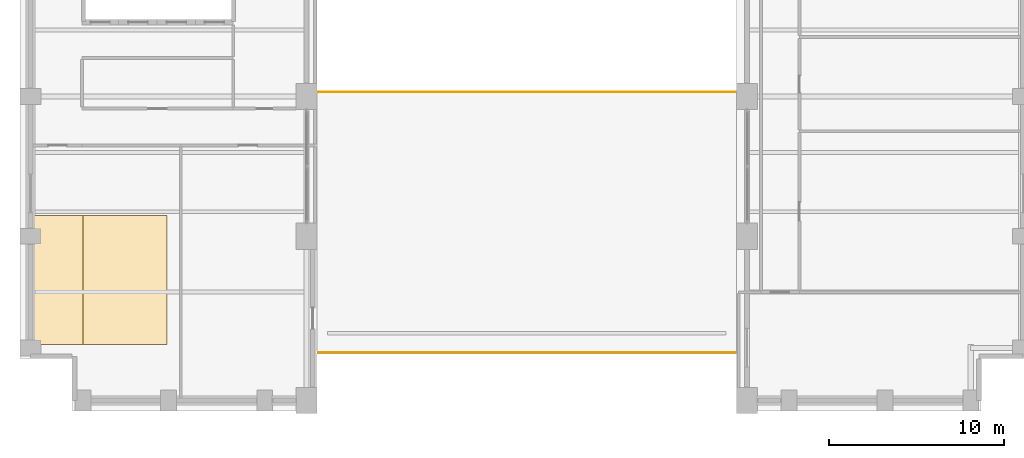
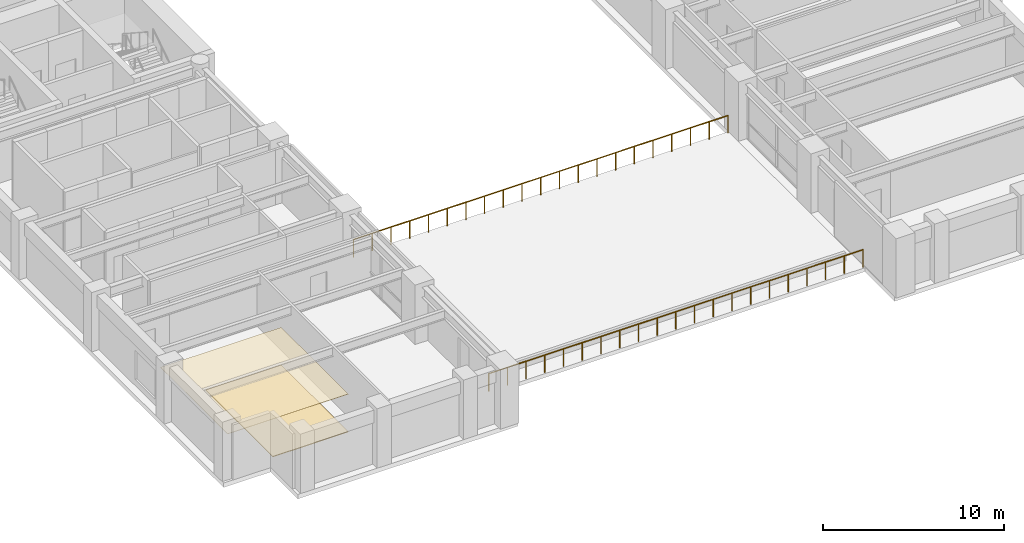
# One storey, part 8 of 10: 2 coverings, 2 railings.
"""IFC4 building model written with IfcOpenShell, lengths in metres."""

import ifcopenshell
import ifcopenshell.guid

model = None  # the IFC model being written
_history = None  # IfcOwnerHistory: only IFC2X3 demands one
_inside = {}  # id of a spatial element -> (the spatial element, [elements in it])
_under = {}  # id of a project, library or spatial element -> (it, [spatial elements below it])
_declared = {}  # id of a project -> (the project, [libraries it declares])
_typed = {}  # id of a type object -> (the type object, [elements of that type])
_made_of = {}  # id of a material, layer set ... -> (it, [elements and type objects made of it])


def new_model(schema):
    """Start an empty IFC model of exactly this schema.

    Asked for "IFC4X3", IfcOpenShell would pick the latest addendum, in which some entities
    have other attributes; the version numbers below select the first issue.
    IFC2X3 requires an IfcOwnerHistory on every rooted entity: one is made here for all.
    """
    global model, _history
    if schema == "IFC4X3":
        model = ifcopenshell.file(schema_version=(4, 3, 0, 0))
    else:
        model = ifcopenshell.file(schema=schema)
    _inside.clear()
    _under.clear()
    _declared.clear()
    _typed.clear()
    _made_of.clear()
    _history = None
    if model.schema == "IFC2X3":
        org = make("IfcOrganization", Name="unknown")
        user = make(
            "IfcPersonAndOrganization",
            ThePerson=make("IfcPerson", FamilyName="unknown"),
            TheOrganization=org,
        )
        app = make(
            "IfcApplication",
            ApplicationDeveloper=org,
            Version="unknown",
            ApplicationFullName="unknown",
            ApplicationIdentifier="unknown",
        )
        _history = make(
            "IfcOwnerHistory",
            OwningUser=user,
            OwningApplication=app,
            ChangeAction="ADDED",
            CreationDate=0,
        )
    return model


def make(cls, **values):
    """One entity of the class cls with the attributes given. An attribute that is None is left unset."""
    return model.create_entity(
        cls, **{name: value for name, value in values.items() if value is not None}
    )


def rooted(cls, **values):
    """An entity with a GlobalId (a new one), such as an element, a storey or a relation."""
    return make(cls, GlobalId=ifcopenshell.guid.new(), OwnerHistory=_history, **values)


def si_unit(unit_type, name, prefix=None):
    """IfcSIUnit, for example si_unit("LENGTHUNIT", "METRE", prefix="MILLI")."""
    return make("IfcSIUnit", UnitType=unit_type, Prefix=prefix, Name=name)


def assignment(units):
    """IfcUnitAssignment: the units of a project."""
    return None if units is None else make("IfcUnitAssignment", Units=units)


def point(xyz):
    """IfcCartesianPoint."""
    return None if xyz is None else make("IfcCartesianPoint", Coordinates=xyz)


def direction(xyz):
    """IfcDirection."""
    return None if xyz is None else make("IfcDirection", DirectionRatios=xyz)


def frame(location, z_axis=None, x_axis=None):
    """IfcAxis2Placement3D, a coordinate frame: its origin and axes. An axis left out is left unset."""
    return make(
        "IfcAxis2Placement3D",
        Location=point(location),
        Axis=direction(z_axis),
        RefDirection=direction(x_axis),
    )


def frame_2d(location, x_axis=None):
    """IfcAxis2Placement2D, a coordinate frame in the plane: its origin and x axis."""
    return make(
        "IfcAxis2Placement2D", Location=point(location), RefDirection=direction(x_axis)
    )


def origin():
    """The frame at (0, 0, 0) with its axes left unset."""
    return frame((0.0, 0.0, 0.0))


def origin_2d():
    """The frame at (0, 0) in the plane with its x axis left unset."""
    return frame_2d((0.0, 0.0))


def place(relative_to, where):
    """IfcLocalPlacement: puts the frame where relative to a parent placement (None: the world)."""
    return make(
        "IfcLocalPlacement", PlacementRelTo=relative_to, RelativePlacement=where
    )


def context(
    kind, dimensions, precision=None, world=None, true_north=None, identifier=None
):
    """IfcGeometricRepresentationContext, for example the 3D "Model" context."""
    return make(
        "IfcGeometricRepresentationContext",
        ContextIdentifier=identifier,
        ContextType=kind,
        CoordinateSpaceDimension=dimensions,
        Precision=precision,
        WorldCoordinateSystem=world,
        TrueNorth=true_north,
    )


def subcontext(parent, identifier, kind, view, scale=None):
    """IfcGeometricRepresentationSubContext, for example "Body" below "Model"."""
    return make(
        "IfcGeometricRepresentationSubContext",
        ContextIdentifier=identifier,
        ContextType=kind,
        ParentContext=parent,
        TargetScale=scale,
        TargetView=view,
    )


def project(units=None, contexts=None):
    """IfcProject with its units and contexts."""
    return rooted(
        "IfcProject",
        Name="project",
        RepresentationContexts=contexts,
        UnitsInContext=assignment(units),
    )


def spatial(cls, under=None, at=None, **own):
    """A site, building, storey or space (cls), placed at a placement, below another one or the project."""
    s = rooted(cls, ObjectPlacement=at, **own)
    if under is not None:
        _under.setdefault(under.id(), (under, []))[1].append(s)
    return s


def polyline(points):
    """IfcPolyline through the points."""
    return make("IfcPolyline", Points=[point(p) for p in points])


def profile(cls, at=None, kind="AREA", **sizes):
    """A parametric profile (cls). Its sizes go by their IFC names, for example OverallWidth=200.0."""
    return make(cls, ProfileType=kind, Position=at, **sizes)


def circle(**sizes):
    """IfcCircleProfileDef."""
    return profile("IfcCircleProfileDef", **sizes)


def outline(outer, holes=None, kind="AREA"):
    """IfcArbitraryClosedProfileDef: a profile drawn as a closed curve; with holes, ...WithVoids."""
    if holes is None:
        return make("IfcArbitraryClosedProfileDef", ProfileType=kind, OuterCurve=outer)
    return make(
        "IfcArbitraryProfileDefWithVoids",
        ProfileType=kind,
        OuterCurve=outer,
        InnerCurves=holes,
    )


def extrude(swept, where, along, depth):
    """IfcExtrudedAreaSolid: the profile swept, set in the frame where, extruded along a direction by depth."""
    return make(
        "IfcExtrudedAreaSolid",
        SweptArea=swept,
        Position=where,
        ExtrudedDirection=direction(along),
        Depth=depth,
    )


def shape(context_of_items, identifier, shape_type, items):
    """IfcShapeRepresentation: the items that make up one representation, for example the "Body"."""
    return make(
        "IfcShapeRepresentation",
        ContextOfItems=context_of_items,
        RepresentationIdentifier=identifier,
        RepresentationType=shape_type,
        Items=items,
    )


def material(Name=None, Category=None):
    """IfcMaterial."""
    return make("IfcMaterial", Name=Name, Category=Category)


def layer(
    of_material, thickness, ventilated=None, Name=None, Category=None, Priority=None
):
    """IfcMaterialLayer: one layer of a wall or slab, of a material (None: an air gap)."""
    return make(
        "IfcMaterialLayer",
        Material=of_material,
        LayerThickness=thickness,
        IsVentilated=ventilated,
        Name=Name,
        Category=Category,
        Priority=Priority,
    )


def layer_set(layers, Name=None):
    """IfcMaterialLayerSet."""
    return make("IfcMaterialLayerSet", MaterialLayers=layers, LayerSetName=Name)


def made_of(thing, what):
    """Note that an element or type object is made of a material, layer set ...; save() writes the relation."""
    if what is not None:
        _made_of.setdefault(what.id(), (what, []))[1].append(thing)
    return thing


def type_object(cls, material=None, **own):
    """A type object (cls), such as IfcWallType, which elements share."""
    return made_of(rooted(cls, **own), material)


def element(
    cls,
    number,
    at=None,
    inside=None,
    cuts=None,
    type_object=None,
    material=None,
    context=None,
    identifier="Body",
    shape_type=None,
    held_by="IfcProductDefinitionShape",
    body=None,
    shapes=None,
    **own,
):
    """One element of the class cls, such as IfcWall. Its Tag is "e" and its number.

    at: its placement. inside: the storey or other place that contains it. cuts: it is an
    opening in that element (IfcRelVoidsElement). A single representation is given by context,
    identifier, shape_type and body (its items); several are given by shapes. held_by: the class
    of the entity that holds the representations. save() writes the other relations.
    """
    e = rooted(cls, Tag="e%d" % number, ObjectPlacement=at, **own)
    if body is not None:
        shapes = [shape(context, identifier, shape_type, body)]
    if shapes is not None:
        e.Representation = make(held_by, Representations=shapes)
    if inside is not None:
        _inside.setdefault(inside.id(), (inside, []))[1].append(e)
    if cuts is not None:
        rooted(
            "IfcRelVoidsElement", RelatingBuildingElement=cuts, RelatedOpeningElement=e
        )
    if type_object is not None:
        _typed.setdefault(type_object.id(), (type_object, []))[1].append(e)
    return made_of(e, material)


def aggregate(whole, parts):
    """IfcRelAggregates: a whole, such as a stair, and the parts it consists of."""
    return rooted("IfcRelAggregates", RelatingObject=whole, RelatedObjects=parts)


def save(model, path):
    """Write the relations noted so far, then the file.

    IfcRelAggregates (storeys below a building ...), IfcRelContainedInSpatialStructure (elements
    in a storey), IfcRelDefinesByType, IfcRelAssociatesMaterial and IfcRelDeclares: one each for
    every whole, place, type object, material and project.
    """
    for whole, parts in _under.values():
        aggregate(whole, parts)
    for where, things in _inside.values():
        rooted(
            "IfcRelContainedInSpatialStructure",
            RelatedElements=things,
            RelatingStructure=where,
        )
    for kind, things in _typed.values():
        rooted("IfcRelDefinesByType", RelatedObjects=things, RelatingType=kind)
    for what, things in _made_of.values():
        rooted("IfcRelAssociatesMaterial", RelatedObjects=things, RelatingMaterial=what)
    for by, libraries in _declared.values():
        rooted("IfcRelDeclares", RelatingContext=by, RelatedDefinitions=libraries)
    model.write(path)


model = new_model("IFC4")

# Units and contexts
model_context = context("Model", 3, precision=1e-05, world=origin(), true_north=direction((0.0, 1.0)))
body_context = subcontext(model_context, "Body", "Model", "MODEL_VIEW")
ifc_project = project(units=[si_unit("LENGTHUNIT", "METRE"), si_unit("AREAUNIT", "SQUARE_METRE"), si_unit("VOLUMEUNIT", "CUBIC_METRE"), si_unit("PLANEANGLEUNIT", "RADIAN"), si_unit("MASSUNIT", "GRAM", prefix="KILO")], contexts=[model_context])

# Site, building, storey
site_placement = place(None, origin())
site = spatial("IfcSite", under=ifc_project, at=site_placement, CompositionType="ELEMENT")
building_placement = place(site_placement, origin())
building = spatial("IfcBuilding", under=site, at=building_placement, Name="Sulina Concourse Tower", CompositionType="ELEMENT")
storey_placement = place(building_placement, frame((0.0, 0.0, 22.60009765625)))
storey = spatial("IfcBuildingStorey", under=building, at=storey_placement, Name="L05", CompositionType="ELEMENT", Elevation=22.60009765625)

# Coverings
ifc_material_1 = material(Name="Polished granite flooring", Category="masonry")
ifc_layer_1 = layer(ifc_material_1, 0.044921875)
ifc_layer_set_1 = layer_set([ifc_layer_1], Name="Polished granite flooring")
covering_type_1 = type_object("IfcCoveringType", Name="Polished Granite & Raised Access Flooring 45mm", PredefinedType="FLOORING", material=ifc_layer_set_1)
covering_1_placement = place(storey_placement, origin())
element("IfcCovering", 1, at=covering_1_placement, inside=storey, type_object=covering_type_1, Name="L05 raised access floor finish", PredefinedType="FLOORING", context=body_context, shape_type="SweptSolid", body=[
    extrude(outline(polyline([(3.60009765625, 3.800048828125), (8.39990234375, 3.800048828125), (8.39990234375, 11.199951171875), (3.60009765625, 11.199951171875), (3.60009765625, 3.800048828125)])), origin(), (0.0, 0.0, 1.0), 0.044921875),
])
ifc_material_2 = material(Name="Acoustic mineral ceiling board")
ifc_layer_2 = layer(ifc_material_2, 0.02490234375)
ifc_layer_set_2 = layer_set([ifc_layer_2], Name="Acoustic mineral ceiling board")
covering_type_2 = type_object("IfcCoveringType", Name="Suspended Acoustic Mineral Ceiling 25mm", PredefinedType="CEILING", material=ifc_layer_set_2)
covering_2_placement = place(storey_placement, frame((0.0, 0.0, 2.5498046875)))
element("IfcCovering", 2, at=covering_2_placement, inside=storey, type_object=covering_type_2, Name="L05 suspended acoustic tile ceiling", PredefinedType="CEILING", context=body_context, shape_type="SweptSolid", body=[
    extrude(outline(polyline([(0.719970703125, 3.800048828125), (8.39990234375, 3.800048828125), (8.39990234375, 11.199951171875), (0.719970703125, 11.199951171875), (0.719970703125, 3.800048828125)])), origin(), (0.0, 0.0, 1.0), 0.025146484375),
])

# Railings
ifc_material_3 = material(Name="Laminated glass balustrade and steel post", Category="steel")
railing_type = type_object("IfcRailingType", Name="Terrace & Sky-Pool Laminated Guardrail 1200mm", PredefinedType="GUARDRAIL", material=ifc_material_3)
railing_1_placement = place(storey_placement, frame((17.080078125, 3.35009765625, 0.0)))
element("IfcRailing", 3, at=railing_1_placement, inside=storey, type_object=railing_type, Name="L05 terrace guardrail TER-LP1-1", PredefinedType="GUARDRAIL", context=body_context, shape_type="SweptSolid", body=[
    extrude(circle(Radius=0.02490234375, at=origin_2d()), frame((0.0, 0.0, 1.1748046875), z_axis=(1.0, 0.0, 0.0), x_axis=(0.0, 1.0, 0.0)), (0.0, 0.0, 1.0), 23.83984375),
    extrude(circle(Radius=0.02099609375, at=origin_2d()), origin(), (0.0, 0.0, 1.0), 1.14990234375),
    extrude(circle(Radius=0.02099609375, at=origin_2d()), frame((1.19189453125, 0.0, 0.0)), (0.0, 0.0, 1.0), 1.14990234375),
    extrude(circle(Radius=0.02099609375, at=origin_2d()), frame((2.384033203125, 0.0, 0.0)), (0.0, 0.0, 1.0), 1.14990234375),
    extrude(circle(Radius=0.02099609375, at=origin_2d()), frame((3.575927734375, 0.0, 0.0)), (0.0, 0.0, 1.0), 1.14990234375),
    extrude(circle(Radius=0.02099609375, at=origin_2d()), frame((4.76806640625, 0.0, 0.0)), (0.0, 0.0, 1.0), 1.14990234375),
    extrude(circle(Radius=0.02099609375, at=origin_2d()), frame((5.9599609375, 0.0, 0.0)), (0.0, 0.0, 1.0), 1.14990234375),
    extrude(circle(Radius=0.02099609375, at=origin_2d()), frame((7.15185546875, 0.0, 0.0)), (0.0, 0.0, 1.0), 1.14990234375),
    extrude(circle(Radius=0.02099609375, at=origin_2d()), frame((8.343994140625, 0.0, 0.0)), (0.0, 0.0, 1.0), 1.14990234375),
    extrude(circle(Radius=0.02099609375, at=origin_2d()), frame((9.535888671875, 0.0, 0.0)), (0.0, 0.0, 1.0), 1.14990234375),
    extrude(circle(Radius=0.02099609375, at=origin_2d()), frame((10.72802734375, 0.0, 0.0)), (0.0, 0.0, 1.0), 1.14990234375),
    extrude(circle(Radius=0.02099609375, at=origin_2d()), frame((11.919921875, 0.0, 0.0)), (0.0, 0.0, 1.0), 1.14990234375),
    extrude(circle(Radius=0.02099609375, at=origin_2d()), frame((13.11181640625, 0.0, 0.0)), (0.0, 0.0, 1.0), 1.14990234375),
    extrude(circle(Radius=0.02099609375, at=origin_2d()), frame((14.303955078125, 0.0, 0.0)), (0.0, 0.0, 1.0), 1.14990234375),
    extrude(circle(Radius=0.02099609375, at=origin_2d()), frame((15.495849609375, 0.0, 0.0)), (0.0, 0.0, 1.0), 1.14990234375),
    extrude(circle(Radius=0.02099609375, at=origin_2d()), frame((16.68798828125, 0.0, 0.0)), (0.0, 0.0, 1.0), 1.14990234375),
    extrude(circle(Radius=0.02099609375, at=origin_2d()), frame((17.8798828125, 0.0, 0.0)), (0.0, 0.0, 1.0), 1.14990234375),
    extrude(circle(Radius=0.02099609375, at=origin_2d()), frame((19.07177734375, 0.0, 0.0)), (0.0, 0.0, 1.0), 1.14990234375),
    extrude(circle(Radius=0.02099609375, at=origin_2d()), frame((20.263916015625, 0.0, 0.0)), (0.0, 0.0, 1.0), 1.14990234375),
    extrude(circle(Radius=0.02099609375, at=origin_2d()), frame((21.455810546875, 0.0, 0.0)), (0.0, 0.0, 1.0), 1.14990234375),
    extrude(circle(Radius=0.02099609375, at=origin_2d()), frame((22.64794921875, 0.0, 0.0)), (0.0, 0.0, 1.0), 1.14990234375),
    extrude(circle(Radius=0.02099609375, at=origin_2d()), frame((23.83984375, 0.0, 0.0)), (0.0, 0.0, 1.0), 1.14990234375),
])
railing_2_placement = place(storey_placement, frame((17.080078125, 18.25, 0.0)))
element("IfcRailing", 4, at=railing_2_placement, inside=storey, type_object=railing_type, Name="L05 terrace guardrail TER-LP1-2", PredefinedType="GUARDRAIL", context=body_context, shape_type="SweptSolid", body=[
    extrude(circle(Radius=0.02490234375, at=origin_2d()), frame((0.0, 0.0, 1.1748046875), z_axis=(1.0, 0.0, 0.0), x_axis=(0.0, 1.0, 0.0)), (0.0, 0.0, 1.0), 23.83984375),
    extrude(circle(Radius=0.02099609375, at=origin_2d()), origin(), (0.0, 0.0, 1.0), 1.14990234375),
    extrude(circle(Radius=0.02099609375, at=origin_2d()), frame((1.19189453125, 0.0, 0.0)), (0.0, 0.0, 1.0), 1.14990234375),
    extrude(circle(Radius=0.02099609375, at=origin_2d()), frame((2.384033203125, 0.0, 0.0)), (0.0, 0.0, 1.0), 1.14990234375),
    extrude(circle(Radius=0.02099609375, at=origin_2d()), frame((3.575927734375, 0.0, 0.0)), (0.0, 0.0, 1.0), 1.14990234375),
    extrude(circle(Radius=0.02099609375, at=origin_2d()), frame((4.76806640625, 0.0, 0.0)), (0.0, 0.0, 1.0), 1.14990234375),
    extrude(circle(Radius=0.02099609375, at=origin_2d()), frame((5.9599609375, 0.0, 0.0)), (0.0, 0.0, 1.0), 1.14990234375),
    extrude(circle(Radius=0.02099609375, at=origin_2d()), frame((7.15185546875, 0.0, 0.0)), (0.0, 0.0, 1.0), 1.14990234375),
    extrude(circle(Radius=0.02099609375, at=origin_2d()), frame((8.343994140625, 0.0, 0.0)), (0.0, 0.0, 1.0), 1.14990234375),
    extrude(circle(Radius=0.02099609375, at=origin_2d()), frame((9.535888671875, 0.0, 0.0)), (0.0, 0.0, 1.0), 1.14990234375),
    extrude(circle(Radius=0.02099609375, at=origin_2d()), frame((10.72802734375, 0.0, 0.0)), (0.0, 0.0, 1.0), 1.14990234375),
    extrude(circle(Radius=0.02099609375, at=origin_2d()), frame((11.919921875, 0.0, 0.0)), (0.0, 0.0, 1.0), 1.14990234375),
    extrude(circle(Radius=0.02099609375, at=origin_2d()), frame((13.11181640625, 0.0, 0.0)), (0.0, 0.0, 1.0), 1.14990234375),
    extrude(circle(Radius=0.02099609375, at=origin_2d()), frame((14.303955078125, 0.0, 0.0)), (0.0, 0.0, 1.0), 1.14990234375),
    extrude(circle(Radius=0.02099609375, at=origin_2d()), frame((15.495849609375, 0.0, 0.0)), (0.0, 0.0, 1.0), 1.14990234375),
    extrude(circle(Radius=0.02099609375, at=origin_2d()), frame((16.68798828125, 0.0, 0.0)), (0.0, 0.0, 1.0), 1.14990234375),
    extrude(circle(Radius=0.02099609375, at=origin_2d()), frame((17.8798828125, 0.0, 0.0)), (0.0, 0.0, 1.0), 1.14990234375),
    extrude(circle(Radius=0.02099609375, at=origin_2d()), frame((19.07177734375, 0.0, 0.0)), (0.0, 0.0, 1.0), 1.14990234375),
    extrude(circle(Radius=0.02099609375, at=origin_2d()), frame((20.263916015625, 0.0, 0.0)), (0.0, 0.0, 1.0), 1.14990234375),
    extrude(circle(Radius=0.02099609375, at=origin_2d()), frame((21.455810546875, 0.0, 0.0)), (0.0, 0.0, 1.0), 1.14990234375),
    extrude(circle(Radius=0.02099609375, at=origin_2d()), frame((22.64794921875, 0.0, 0.0)), (0.0, 0.0, 1.0), 1.14990234375),
    extrude(circle(Radius=0.02099609375, at=origin_2d()), frame((23.83984375, 0.0, 0.0)), (0.0, 0.0, 1.0), 1.14990234375),
])

save(model, "model.ifc")
